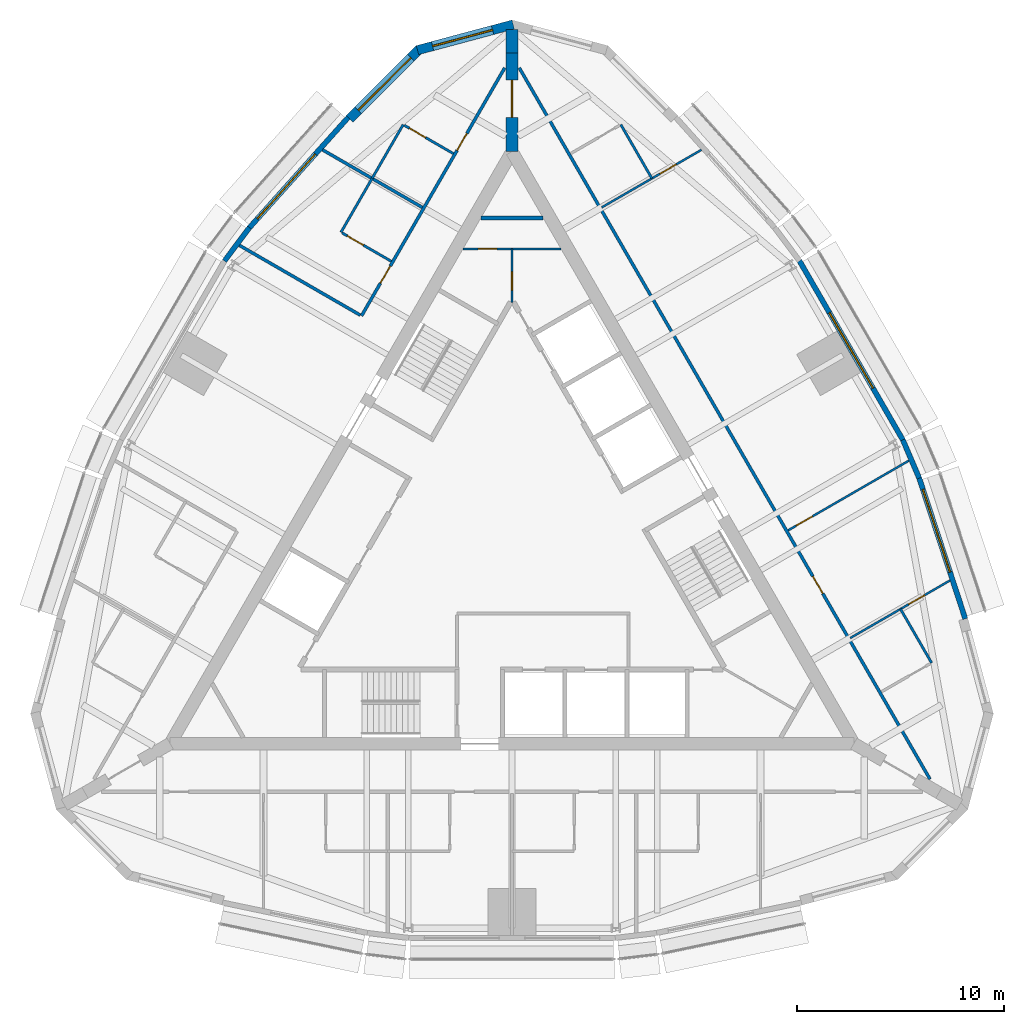
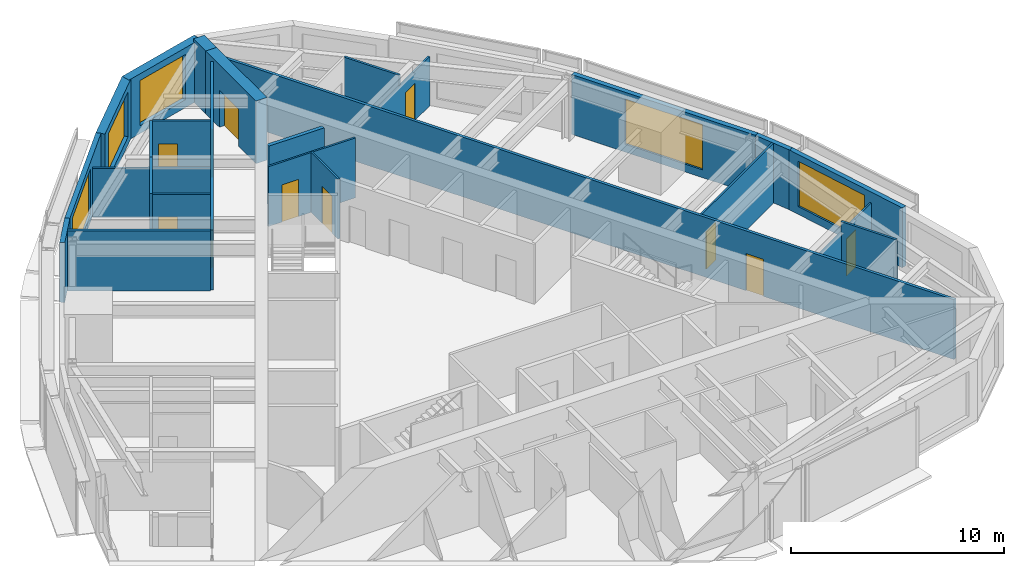
# One storey, part 10 of 12: 25 walls, 11 doors, 5 windows, 16 openings.
"""IFC4 building model written with IfcOpenShell, lengths in metres."""

from ifc_helpers import new_model, si_unit, direction, frame, frame_2d, origin, place, context, subcontext, project, spatial, polyline, rectangle, outline, extrude, material, layer, layer_set, type_object, element, fill, save


model = new_model("IFC4")

# Units and contexts
model_context = context("Model", 3, precision=1e-05, world=origin(), true_north=direction((0.0, 1.0)))
body_context = subcontext(model_context, "Body", "Model", "MODEL_VIEW")
ifc_project = project(units=[si_unit("LENGTHUNIT", "METRE"), si_unit("AREAUNIT", "SQUARE_METRE"), si_unit("VOLUMEUNIT", "CUBIC_METRE"), si_unit("PLANEANGLEUNIT", "RADIAN"), si_unit("MASSUNIT", "GRAM", prefix="KILO")], contexts=[model_context])

# Site, building, storey
site_placement = place(None, origin())
site = spatial("IfcSite", under=ifc_project, at=site_placement, CompositionType="ELEMENT")
building_placement = place(site_placement, origin())
building = spatial("IfcBuilding", under=site, at=building_placement, Name="Trikona Tower", CompositionType="ELEMENT")
storey_placement = place(building_placement, frame((0.0, 0.0, 268.10009765625)))
storey = spatial("IfcBuildingStorey", under=building, at=storey_placement, Name="L71", CompositionType="ELEMENT", Elevation=268.10009765625)

# Walls
ifc_material_1 = material(Name="Metal stud and cement board", Category="gypsum")
ifc_layer_1 = layer(ifc_material_1, 0.1201171875)
ifc_layer_set_1 = layer_set([ifc_layer_1], Name="Bathroom wall 120")
wall_type_1 = type_object("IfcWallType", Name="Bathroom wall 120", PredefinedType="PLUMBINGWALL", material=ifc_layer_set_1)
wall_1_placement = place(storey_placement, frame((20.25341796875, -5.627197265625, 0.0), z_axis=(0.0, 0.0, 1.0), x_axis=(-0.50002537861, 0.866010750942, 0.0)))
element("IfcWall", 1, at=wall_1_placement, inside=storey, type_object=wall_type_1, Name="Bathroom wall 7105.1", PredefinedType="PLUMBINGWALL", context=body_context, shape_type="SweptSolid", body=[
    extrude(rectangle(XDim=2.999755859375, YDim=0.1201171875, at=frame_2d((1.5, 0.0))), origin(), (0.0, 0.0, 1.0), 3.434814453125),
])
for number, where, z_axis, x_axis, name in (
    (2, (6.75341796875, 17.75537109375, 0.0), (0.0, 0.0, 1.0), (-0.499990139034, 0.866031096941, 0.0), "Bathroom wall 7105.2"),
    (3, (-5.25341796875, 20.353515625, 0.0), (0.0, 0.0, 1.0), (-0.499990139034, -0.866031096941, 0.0), "Bathroom wall 7106"),
):
    element("IfcWall", number, at=place(storey_placement, frame(where, z_axis=z_axis, x_axis=x_axis)), inside=storey, type_object=wall_type_1, Name=name, PredefinedType="PLUMBINGWALL", context=body_context, shape_type="SweptSolid", body=[
        extrude(rectangle(XDim=3.0, YDim=0.1201171875, at=frame_2d((1.5, 0.0))), origin(), (0.0, 0.0, 1.0), 3.434814453125),
    ])

# Wall, opening, door
wall_2_placement = place(storey_placement, frame((-2.82861328125, 18.95361328125, 0.0), z_axis=(0.0, 0.0, 1.0), x_axis=(-0.866035715982, 0.499982138324, 0.0)))
wall_2 = element("IfcWall", 4, at=wall_2_placement, inside=storey, type_object=wall_type_1, Name="Bathroom wall 7106", PredefinedType="PLUMBINGWALL", context=body_context, shape_type="SweptSolid", body=[
    extrude(rectangle(XDim=2.73974609375, YDim=0.1201171875, at=frame_2d((1.369873046875, 0.0))), origin(), (0.0, 0.0, 1.0), 3.434814453125),
])
opening_1_placement = place(wall_2_placement, frame((1.550048828125, 0.0, 0.0)))
opening_1 = element("IfcOpeningElement", 5, at=opening_1_placement, cuts=wall_2, Name="Opening D2", PredefinedType="OPENING", context=body_context, shape_type="SweptSolid", body=[
    extrude(rectangle(XDim=0.89990234375, YDim=2.1298828125, at=frame_2d((0.449951171875, 1.06494140625))), frame((0.0, 0.070068359375, 0.0), z_axis=(0.0, -1.0, 0.0), x_axis=(1.0, 0.0, 0.0)), (0.0, 0.0, 1.0), 0.14013671875),
])
ifc_material_2 = material(Name="Steel door frame with solid-core timber leaf", Category="steel")
door_type_1 = type_object("IfcDoorType", Name="Bathroom door 900x2130", OperationType="SLIDING_TO_LEFT", PredefinedType="DOOR", material=ifc_material_2)
door_1_placement = place(opening_1_placement, origin())
door_1 = element("IfcDoor", 6, at=door_1_placement, inside=storey, type_object=door_type_1, Name="Bathroom door 7106", OperationType="SLIDING_TO_LEFT", OverallHeight=2.1298828125, OverallWidth=0.89990234375, PredefinedType="DOOR", context=body_context, shape_type="SweptSolid", body=[
    extrude(rectangle(XDim=0.89990234375, YDim=2.1298828125, at=frame_2d((0.449951171875, 1.06494140625))), frame((0.0, 0.02490234375, 0.0), z_axis=(0.0, -1.0, 0.0), x_axis=(1.0, 0.0, 0.0)), (0.0, 0.0, 1.0), 0.050048828125),
])
fill(opening_1, door_1)

# Wall
wall_3_placement = place(storey_placement, frame((-6.75341796875, 17.75537109375, 0.0), z_axis=(0.0, 0.0, 1.0), x_axis=(-0.50002537861, -0.866010750942, 0.0)))
element("IfcWall", 7, at=wall_3_placement, inside=storey, type_object=wall_type_1, Name="Bathroom wall 7107", PredefinedType="PLUMBINGWALL", context=body_context, shape_type="SweptSolid", body=[
    extrude(rectangle(XDim=2.999755859375, YDim=0.1201171875, at=frame_2d((1.5, 0.0))), origin(), (0.0, 0.0, 1.0), 3.434814453125),
])

# Wall, opening, door
wall_4_placement = place(storey_placement, frame((-5.82861328125, 13.75732421875, 0.0), z_axis=(0.0, 0.0, 1.0), x_axis=(-0.865997131366, 0.500048966069, 0.0)))
wall_4 = element("IfcWall", 8, at=wall_4_placement, inside=storey, type_object=wall_type_1, Name="Bathroom wall 7107", PredefinedType="PLUMBINGWALL", context=body_context, shape_type="SweptSolid", body=[
    extrude(rectangle(XDim=2.739990234375, YDim=0.1201171875, at=frame_2d((1.3701171875, 0.0))), origin(), (0.0, 0.0, 1.0), 3.434814453125),
])
opening_2_placement = place(wall_4_placement, frame((1.550048828125, 0.0, 0.0)))
opening_2 = element("IfcOpeningElement", 9, at=opening_2_placement, cuts=wall_4, Name="Opening D2", PredefinedType="OPENING", context=body_context, shape_type="SweptSolid", body=[
    extrude(rectangle(XDim=0.89990234375, YDim=2.1298828125, at=frame_2d((0.449951171875, 1.06494140625))), frame((0.0, 0.070068359375, 0.0), z_axis=(0.0, -1.0, 0.0), x_axis=(1.0, 0.0, 0.0)), (0.0, 0.0, 1.0), 0.14013671875),
])
door_2_placement = place(opening_2_placement, origin())
door_2 = element("IfcDoor", 10, at=door_2_placement, inside=storey, type_object=door_type_1, Name="Bathroom door 7107", OperationType="SLIDING_TO_LEFT", OverallHeight=2.1298828125, OverallWidth=0.89990234375, PredefinedType="DOOR", context=body_context, shape_type="SweptSolid", body=[
    extrude(rectangle(XDim=0.89990234375, YDim=2.1298828125, at=frame_2d((0.449951171875, 1.06494140625))), frame((0.0, 0.02490234375, 0.0), z_axis=(0.0, -1.0, 0.0), x_axis=(1.0, 0.0, 0.0)), (0.0, 0.0, 1.0), 0.050048828125),
])
fill(opening_2, door_2)

# Wall, opening, window
ifc_material_3 = material(Name="Brick-faced precast concrete", Category="masonry")
ifc_layer_2 = layer(ifc_material_3, 0.449951171875)
ifc_layer_set_2 = layer_set([ifc_layer_2], Name="Brick-faced corner wall 450")
wall_type_2 = type_object("IfcWallType", Name="Brick-faced corner wall 450", PredefinedType="SOLIDWALL", material=ifc_layer_set_2)
wall_5_placement = place(storey_placement, frame((0.05810546875, 25.18603515625, 0.0), z_axis=(0.0, 0.0, 1.0), x_axis=(-0.965926628191, -0.258816052347, 0.0)))
wall_5 = element("IfcWall", 11, at=wall_5_placement, inside=storey, type_object=wall_type_2, Name="External wall L71-16", PredefinedType="SOLIDWALL", context=body_context, shape_type="SweptSolid", body=[
    extrude(outline(polyline([(4.781494140625, 0.22509765625), (0.430908203125, 0.22509765625), (0.406005859375, 0.132080078125), (0.059326171875, 0.22509765625), (0.0, 0.22509765625), (0.0, -0.22509765625), (4.781494140625, -0.22509765625), (4.781494140625, 0.22509765625)])), origin(), (0.0, 0.0, 1.0), 3.434814453125),
])
opening_3_placement = place(wall_5_placement, frame((1.031494140625, 0.0, 0.449951171875)))
opening_3 = element("IfcOpeningElement", 12, at=opening_3_placement, cuts=wall_5, Name="Opening W3026", PredefinedType="OPENING", context=body_context, shape_type="SweptSolid", body=[
    extrude(rectangle(XDim=3.0, YDim=2.60009765625, at=frame_2d((1.5, 1.300048828125))), frame((0.0, 0.23486328125, 0.0), z_axis=(0.0, -1.0, 0.0), x_axis=(1.0, 0.0, 0.0)), (0.0, 0.0, 1.0), 0.469970703125),
])
ifc_material_4 = material(Name="Aluminium-framed double glazing", Category="aluminium")
window_type_1 = type_object("IfcWindowType", Name="Window 3000x2600", PartitioningType="SINGLE_PANEL", PredefinedType="WINDOW", material=ifc_material_4)
window_1_placement = place(opening_3_placement, origin())
window_1 = element("IfcWindow", 13, at=window_1_placement, inside=storey, type_object=window_type_1, Name="Window 7106", OverallHeight=2.60009765625, OverallWidth=3.0, PartitioningType="SINGLE_PANEL", PredefinedType="WINDOW", context=body_context, shape_type="SweptSolid", body=[
    extrude(rectangle(XDim=3.0, YDim=2.60009765625, at=frame_2d((1.5, 1.300048828125))), frame((0.0, 0.030029296875, 0.0), z_axis=(0.0, -1.0, 0.0), x_axis=(1.0, 0.0, 0.0)), (0.0, 0.0, 1.0), 0.06005859375),
])
fill(opening_3, window_1)

wall_6_placement = place(storey_placement, frame((-4.459716796875, 24.006591796875, 0.0), z_axis=(0.0, 0.0, 1.0), x_axis=(-0.707106781187, -0.707106781187, 0.0)))
wall_6 = element("IfcWall", 14, at=wall_6_placement, inside=storey, type_object=wall_type_2, Name="External wall L71-17", PredefinedType="SOLIDWALL", context=body_context, shape_type="SweptSolid", body=[
    extrude(rectangle(XDim=4.781494140625, YDim=0.449951171875, at=frame_2d((2.390625, 0.0))), origin(), (0.0, 0.0, 1.0), 3.434814453125),
])
opening_4_placement = place(wall_6_placement, frame((0.5908203125, 0.0, 0.449951171875)))
opening_4 = element("IfcOpeningElement", 15, at=opening_4_placement, cuts=wall_6, Name="Opening W3626", PredefinedType="OPENING", context=body_context, shape_type="SweptSolid", body=[
    extrude(rectangle(XDim=3.60009765625, YDim=2.60009765625, at=frame_2d((1.800048828125, 1.300048828125))), frame((0.0, 0.23486328125, 0.0), z_axis=(0.0, -1.0, 0.0), x_axis=(1.0, 0.0, 0.0)), (0.0, 0.0, 1.0), 0.469970703125),
])
ifc_material_5 = material(Name="Aluminium-framed double glazing", Category="aluminium")
window_type_2 = type_object("IfcWindowType", Name="Window 3600x2600", PartitioningType="SINGLE_PANEL", PredefinedType="WINDOW", material=ifc_material_5)
window_2_placement = place(opening_4_placement, origin())
window_2 = element("IfcWindow", 16, at=window_2_placement, inside=storey, type_object=window_type_2, Name="Window 7106", OverallHeight=2.60009765625, OverallWidth=3.60009765625, PartitioningType="SINGLE_PANEL", PredefinedType="WINDOW", context=body_context, shape_type="SweptSolid", body=[
    extrude(rectangle(XDim=3.60009765625, YDim=2.60009765625, at=frame_2d((1.800048828125, 1.300048828125))), frame((0.0, 0.030029296875, 0.0), z_axis=(0.0, -1.0, 0.0), x_axis=(1.0, 0.0, 0.0)), (0.0, 0.0, 1.0), 0.06005859375),
])
fill(opening_4, window_2)

# Wall, opening, door
ifc_material_6 = material(Name="Concrete f'c 10000 psi", Category="concrete")
ifc_layer_3 = layer(ifc_material_6, 0.60009765625)
ifc_layer_set_3 = layer_set([ifc_layer_3], Name="Buttress wall 600")
wall_type_3 = type_object("IfcWallType", Name="Buttress wall 600", PredefinedType="SHEAR", material=ifc_layer_set_3)
wall_7_placement = place(storey_placement, frame((0.0, 19.052490234375, 0.0), z_axis=(0.0, 0.0, 1.0), x_axis=(0.0, 1.0, 0.0)))
wall_7 = element("IfcWall", 17, at=wall_7_placement, inside=storey, type_object=wall_type_3, Name="Buttress wall 2", PredefinedType="SHEAR", context=body_context, shape_type="SweptSolid", body=[
    extrude(rectangle(XDim=4.74609375, YDim=0.60009765625, at=frame_2d((2.373046875, 0.0))), origin(), (0.0, 0.0, 1.0), 3.599853515625),
])
opening_5_placement = place(wall_7_placement, frame((1.64990234375, 0.0, 0.0)))
opening_5 = element("IfcOpeningElement", 18, at=opening_5_placement, cuts=wall_7, Name="Opening D10", PredefinedType="OPENING", context=body_context, shape_type="SweptSolid", body=[
    extrude(rectangle(XDim=1.800048828125, YDim=2.1298828125, at=frame_2d((0.89990234375, 1.06494140625))), frame((0.0, 0.31005859375, 0.0), z_axis=(0.0, -1.0, 0.0), x_axis=(1.0, 0.0, 0.0)), (0.0, 0.0, 1.0), 0.6201171875),
])
ifc_material_7 = material(Name="Hollow metal door and frame", Category="steel")
door_type_2 = type_object("IfcDoorType", Name="Cross-corridor door pair 1800x2130", OperationType="DOUBLE_DOOR_DOUBLE_SWING", PredefinedType="DOOR", material=ifc_material_7)
door_3_placement = place(opening_5_placement, origin())
door_3 = element("IfcDoor", 19, at=door_3_placement, inside=storey, type_object=door_type_2, Name="Cross-corridor door 2", OperationType="DOUBLE_DOOR_DOUBLE_SWING", OverallHeight=2.1298828125, OverallWidth=1.800048828125, PredefinedType="DOOR", context=body_context, shape_type="SweptSolid", body=[
    extrude(rectangle(XDim=1.800048828125, YDim=2.1298828125, at=frame_2d((0.89990234375, 1.06494140625))), frame((0.0, 0.02490234375, 0.0), z_axis=(0.0, -1.0, 0.0), x_axis=(1.0, 0.0, 0.0)), (0.0, 0.0, 1.0), 0.050048828125),
])
fill(opening_5, door_3)

# Wall
wall_8_placement = place(storey_placement, frame((0.0, 23.798583984375, 0.0), z_axis=(0.0, 0.0, 1.0), x_axis=(0.0, 1.0, 0.0)))
element("IfcWall", 20, at=wall_8_placement, inside=storey, type_object=wall_type_3, Name="Buttress wall 2 part 2", PredefinedType="SHEAR", context=body_context, shape_type="SweptSolid", body=[
    extrude(rectangle(XDim=1.15478515625, YDim=0.60009765625, at=frame_2d((0.577392578125, 0.0))), origin(), (0.0, 0.0, 1.0), 3.599853515625),
])

# Wall, opening, door
ifc_material_8 = material(Name="Metal stud and gypsum board, 1-hour", Category="gypsum")
ifc_layer_4 = layer(ifc_material_8, 0.14990234375)
ifc_layer_set_4 = layer_set([ifc_layer_4], Name="Corridor wall 150")
wall_type_4 = type_object("IfcWallType", Name="Corridor wall 150", PredefinedType="PARTITIONING", material=ifc_layer_set_4)
wall_9_placement = place(storey_placement, frame((20.177001953125, -11.2451171875, 0.0), z_axis=(0.0, 0.0, 1.0), x_axis=(-0.499998875317, 0.866026053119, 0.0)))
wall_9 = element("IfcWall", 21, at=wall_9_placement, inside=storey, type_object=wall_type_4, Name="Corridor wall L71-2", PredefinedType="PARTITIONING", context=body_context, shape_type="SweptSolid", body=[
    extrude(rectangle(XDim=39.65380859375, YDim=0.14990234375, at=frame_2d((19.826904296875, 0.0))), origin(), (0.0, 0.0, 1.0), 3.434814453125),
])
opening_6_placement = place(wall_9_placement, frame((10.35205078125, 0.0, 0.0)))
opening_6 = element("IfcOpeningElement", 22, at=opening_6_placement, cuts=wall_9, Name="Opening D1", PredefinedType="OPENING", context=body_context, shape_type="SweptSolid", body=[
    extrude(rectangle(XDim=0.949951171875, YDim=2.1298828125, at=frame_2d((0.47509765625, 1.06494140625))), frame((0.0, 0.0849609375, 0.0), z_axis=(0.0, -1.0, 0.0), x_axis=(1.0, 0.0, 0.0)), (0.0, 0.0, 1.0), 0.169921875),
])
ifc_material_9 = material(Name="Steel door frame with solid-core timber leaf", Category="steel")
door_type_3 = type_object("IfcDoorType", Name="Guest room door 950x2130", OperationType="SINGLE_SWING_LEFT", PredefinedType="DOOR", material=ifc_material_9)
door_4_placement = place(opening_6_placement, origin())
door_4 = element("IfcDoor", 23, at=door_4_placement, inside=storey, type_object=door_type_3, Name="Room door 7105", OperationType="SINGLE_SWING_LEFT", OverallHeight=2.1298828125, OverallWidth=0.949951171875, PredefinedType="DOOR", context=body_context, shape_type="SweptSolid", body=[
    extrude(rectangle(XDim=0.949951171875, YDim=2.1298828125, at=frame_2d((0.47509765625, 1.06494140625))), frame((0.0, 0.02490234375, 0.0), z_axis=(0.0, -1.0, 0.0), x_axis=(1.0, 0.0, 0.0)), (0.0, 0.0, 1.0), 0.050048828125),
])
fill(opening_6, door_4)

# Wall, openings, doors
wall_10_placement = place(storey_placement, frame((-0.35009765625, 23.09619140625, 0.0), z_axis=(0.0, 0.0, 1.0), x_axis=(-0.499996044987, -0.8660276872, 0.0)))
wall_10 = element("IfcWall", 24, at=wall_10_placement, inside=storey, type_object=wall_type_4, Name="Corridor wall L71-3A", PredefinedType="PARTITIONING", context=body_context, shape_type="SweptSolid", body=[
    extrude(rectangle(XDim=13.82666015625, YDim=0.14990234375, at=frame_2d((6.913330078125, 0.0))), origin(), (0.0, 0.0, 1.0), 3.434814453125),
])
opening_7_placement = place(wall_10_placement, frame((3.652099609375, 0.0, 0.0)))
opening_7 = element("IfcOpeningElement", 25, at=opening_7_placement, cuts=wall_10, Name="Opening D1", PredefinedType="OPENING", context=body_context, shape_type="SweptSolid", body=[
    extrude(rectangle(XDim=0.949951171875, YDim=2.1298828125, at=frame_2d((0.47509765625, 1.06494140625))), frame((0.0, 0.0849609375, 0.0), z_axis=(0.0, -1.0, 0.0), x_axis=(1.0, 0.0, 0.0)), (0.0, 0.0, 1.0), 0.169921875),
])
opening_8_placement = place(wall_10_placement, frame((11.052001953125, 0.0, 0.0)))
opening_8 = element("IfcOpeningElement", 26, at=opening_8_placement, cuts=wall_10, Name="Opening D1", PredefinedType="OPENING", context=body_context, shape_type="SweptSolid", body=[
    extrude(rectangle(XDim=0.949951171875, YDim=2.1298828125, at=frame_2d((0.47509765625, 1.06494140625))), frame((0.0, 0.0849609375, 0.0), z_axis=(0.0, -1.0, 0.0), x_axis=(1.0, 0.0, 0.0)), (0.0, 0.0, 1.0), 0.169921875),
])
door_5_placement = place(opening_7_placement, origin())
door_5 = element("IfcDoor", 27, at=door_5_placement, inside=storey, type_object=door_type_3, Name="Room door 7106", OperationType="SINGLE_SWING_LEFT", OverallHeight=2.1298828125, OverallWidth=0.949951171875, PredefinedType="DOOR", context=body_context, shape_type="SweptSolid", body=[
    extrude(rectangle(XDim=0.949951171875, YDim=2.1298828125, at=frame_2d((0.47509765625, 1.06494140625))), frame((0.0, 0.02490234375, 0.0), z_axis=(0.0, -1.0, 0.0), x_axis=(1.0, 0.0, 0.0)), (0.0, 0.0, 1.0), 0.050048828125),
])
fill(opening_7, door_5)
door_6_placement = place(opening_8_placement, origin())
door_6 = element("IfcDoor", 28, at=door_6_placement, inside=storey, type_object=door_type_3, Name="Room door 7107", OperationType="SINGLE_SWING_RIGHT", OverallHeight=2.1298828125, OverallWidth=0.949951171875, PredefinedType="DOOR", context=body_context, shape_type="SweptSolid", body=[
    extrude(rectangle(XDim=0.949951171875, YDim=2.1298828125, at=frame_2d((0.47509765625, 1.06494140625))), frame((0.0, 0.02490234375, 0.0), z_axis=(0.0, -1.0, 0.0), x_axis=(1.0, 0.0, 0.0)), (0.0, 0.0, 1.0), 0.050048828125),
])
fill(opening_8, door_6)

# Wall, opening, window
ifc_material_10 = material(Name="Insulated precast concrete spandrel panel", Category="concrete")
ifc_layer_5 = layer(ifc_material_10, 0.25)
ifc_layer_set_5 = layer_set([ifc_layer_5], Name="Inner skin wall 250")
wall_type_5 = type_object("IfcWallType", Name="Inner skin wall 250", PredefinedType="STANDARD", material=ifc_layer_set_5)
wall_11_placement = place(storey_placement, frame((21.881103515625, -3.5029296875, 0.0), z_axis=(0.0, 0.0, 1.0), x_axis=(-0.311328857048, 0.95030223759, 0.0)))
wall_11 = element("IfcWall", 29, at=wall_11_placement, inside=storey, type_object=wall_type_5, Name="External wall L71-09", PredefinedType="STANDARD", context=body_context, shape_type="SweptSolid", body=[
    extrude(rectangle(XDim=7.152587890625, YDim=0.25, at=frame_2d((3.576171875, 0.0))), origin(), (0.0, 0.0, 1.0), 3.434814453125),
])
opening_9_placement = place(wall_11_placement, frame((2.3759765625, 0.0, 0.449951171875)))
opening_9 = element("IfcOpeningElement", 30, at=opening_9_placement, cuts=wall_11, Name="Opening W4226", PredefinedType="OPENING", context=body_context, shape_type="SweptSolid", body=[
    extrude(rectangle(XDim=4.199951171875, YDim=2.60009765625, at=frame_2d((2.10009765625, 1.300048828125))), frame((0.0, 0.135009765625, 0.0), z_axis=(0.0, -1.0, 0.0), x_axis=(1.0, 0.0, 0.0)), (0.0, 0.0, 1.0), 0.27001953125),
])
ifc_material_11 = material(Name="Aluminium-framed double glazing", Category="aluminium")
window_type_3 = type_object("IfcWindowType", Name="Window 4200x2600", PartitioningType="SINGLE_PANEL", PredefinedType="WINDOW", material=ifc_material_11)
window_3_placement = place(opening_9_placement, origin())
window_3 = element("IfcWindow", 31, at=window_3_placement, inside=storey, type_object=window_type_3, Name="Window 7105", OverallHeight=2.60009765625, OverallWidth=4.199951171875, PartitioningType="SINGLE_PANEL", PredefinedType="WINDOW", context=body_context, shape_type="SweptSolid", body=[
    extrude(rectangle(XDim=4.199951171875, YDim=2.60009765625, at=frame_2d((2.10009765625, 1.300048828125))), frame((0.0, 0.030029296875, 0.0), z_axis=(0.0, -1.0, 0.0), x_axis=(1.0, 0.0, 0.0)), (0.0, 0.0, 1.0), 0.06005859375),
])
fill(opening_9, window_3)

# Wall
wall_12_placement = place(storey_placement, frame((19.658203125, 3.283935546875, 0.0), z_axis=(0.0, 0.0, 1.0), x_axis=(-0.393290226175, 0.91941437774, 0.0)))
element("IfcWall", 32, at=wall_12_placement, inside=storey, type_object=wall_type_5, Name="External wall L71-10", PredefinedType="STANDARD", context=body_context, shape_type="SweptSolid", body=[
    extrude(rectangle(XDim=2.014404296875, YDim=0.25, at=frame_2d((1.00732421875, 0.0))), origin(), (0.0, 0.0, 1.0), 3.434814453125),
])

# Wall, opening, window
wall_13_placement = place(storey_placement, frame((18.87255859375, 5.12255859375, 0.0), z_axis=(0.0, 0.0, 1.0), x_axis=(-0.499993662806, 0.866029062534, 0.0)))
wall_13 = element("IfcWall", 33, at=wall_13_placement, inside=storey, type_object=wall_type_5, Name="External wall L71-11", PredefinedType="STANDARD", context=body_context, shape_type="SweptSolid", body=[
    extrude(rectangle(XDim=10.000244140625, YDim=0.25, at=frame_2d((5.0, 0.0))), origin(), (0.0, 0.0, 1.0), 3.434814453125),
])
opening_10_placement = place(wall_13_placement, frame((2.89990234375, 0.0, 0.449951171875)))
opening_10 = element("IfcOpeningElement", 34, at=opening_10_placement, cuts=wall_13, Name="Opening W4226", PredefinedType="OPENING", context=body_context, shape_type="SweptSolid", body=[
    extrude(rectangle(XDim=4.199951171875, YDim=2.60009765625, at=frame_2d((2.10009765625, 1.300048828125))), frame((0.0, 0.135009765625, 0.0), z_axis=(0.0, -1.0, 0.0), x_axis=(1.0, 0.0, 0.0)), (0.0, 0.0, 1.0), 0.27001953125),
])
window_4_placement = place(opening_10_placement, origin())
window_4 = element("IfcWindow", 35, at=window_4_placement, inside=storey, type_object=window_type_3, Name="Window 7105.3", OverallHeight=2.60009765625, OverallWidth=4.199951171875, PartitioningType="SINGLE_PANEL", PredefinedType="WINDOW", context=body_context, shape_type="SweptSolid", body=[
    extrude(rectangle(XDim=4.199951171875, YDim=2.60009765625, at=frame_2d((2.10009765625, 1.300048828125))), frame((0.0, 0.030029296875, 0.0), z_axis=(0.0, -1.0, 0.0), x_axis=(1.0, 0.0, 0.0)), (0.0, 0.0, 1.0), 0.06005859375),
])
fill(opening_10, window_4)

wall_14_placement = place(storey_placement, frame((-7.906982421875, 20.701171875, 0.0), z_axis=(0.0, 0.0, 1.0), x_axis=(-0.667303550892, -0.744785855778, 0.0)))
wall_14 = element("IfcWall", 36, at=wall_14_placement, inside=storey, type_object=wall_type_5, Name="External wall L71-18", PredefinedType="STANDARD", context=body_context, shape_type="SweptSolid", body=[
    extrude(rectangle(XDim=7.152587890625, YDim=0.25, at=frame_2d((3.576171875, 0.0))), origin(), (0.0, 0.0, 1.0), 3.434814453125),
])
opening_11_placement = place(wall_14_placement, frame((2.3759765625, 0.0, 0.449951171875)))
opening_11 = element("IfcOpeningElement", 37, at=opening_11_placement, cuts=wall_14, Name="Opening W4226", PredefinedType="OPENING", context=body_context, shape_type="SweptSolid", body=[
    extrude(rectangle(XDim=4.199951171875, YDim=2.60009765625, at=frame_2d((2.10009765625, 1.300048828125))), frame((0.0, 0.135009765625, 0.0), z_axis=(0.0, -1.0, 0.0), x_axis=(1.0, 0.0, 0.0)), (0.0, 0.0, 1.0), 0.27001953125),
])
window_5_placement = place(opening_11_placement, origin())
window_5 = element("IfcWindow", 38, at=window_5_placement, inside=storey, type_object=window_type_3, Name="Window 7107", OverallHeight=2.60009765625, OverallWidth=4.199951171875, PartitioningType="SINGLE_PANEL", PredefinedType="WINDOW", context=body_context, shape_type="SweptSolid", body=[
    extrude(rectangle(XDim=4.199951171875, YDim=2.60009765625, at=frame_2d((2.10009765625, 1.300048828125))), frame((0.0, 0.030029296875, 0.0), z_axis=(0.0, -1.0, 0.0), x_axis=(1.0, 0.0, 0.0)), (0.0, 0.0, 1.0), 0.06005859375),
])
fill(opening_11, window_5)

# Walls
wall_15_placement = place(storey_placement, frame((-12.673095703125, 15.38232421875, 0.0), z_axis=(0.0, 0.0, 1.0), x_axis=(-0.599650843534, -0.800261748335, 0.0)))
element("IfcWall", 39, at=wall_15_placement, inside=storey, type_object=wall_type_5, Name="External wall L71-19", PredefinedType="STANDARD", context=body_context, shape_type="SweptSolid", body=[
    extrude(rectangle(XDim=2.01416015625, YDim=0.25, at=frame_2d((1.007080078125, 0.0))), origin(), (0.0, 0.0, 1.0), 3.434814453125),
])
ifc_material_12 = material(Name="Metal stud and gypsum board, 1-hour acoustic", Category="gypsum")
ifc_layer_6 = layer(ifc_material_12, 0.14990234375)
ifc_layer_set_6 = layer_set([ifc_layer_6], Name="Party wall 150")
wall_type_6 = type_object("IfcWallType", Name="Party wall 150", PredefinedType="PARTITIONING", material=ifc_layer_set_6)
wall_16_placement = place(storey_placement, frame((-4.32861328125, 16.35546875, 0.0), z_axis=(0.0, 0.0, 1.0), x_axis=(-0.866029066823, 0.499993655377, 0.0)))
element("IfcWall", 40, at=wall_16_placement, inside=storey, type_object=wall_type_6, Name="Partition L71 F3 u-12", PredefinedType="PARTITIONING", context=body_context, shape_type="SweptSolid", body=[
    extrude(rectangle(XDim=5.55859375, YDim=0.14990234375, at=frame_2d((2.779296875, 0.0))), origin(), (0.0, 0.0, 1.0), 2.82275390625),
])
wall_17_placement = place(storey_placement, frame((-7.32861328125, 11.1591796875, 0.0), z_axis=(0.0, 0.0, 1.0), x_axis=(-0.866020720842, 0.500008111007, 0.0)))
element("IfcWall", 41, at=wall_17_placement, inside=storey, type_object=wall_type_6, Name="Partition L71 F3 u-6", PredefinedType="PARTITIONING", context=body_context, shape_type="SweptSolid", body=[
    extrude(rectangle(XDim=6.732421875, YDim=0.14990234375, at=frame_2d((3.3662109375, 0.0))), origin(), (0.0, 0.0, 1.0), 3.434814453125),
])
ifc_material_13 = material(Name="Concrete f'c 8000 psi", Category="concrete")
ifc_layer_7 = layer(ifc_material_13, 0.199951171875)
ifc_layer_set_7 = layer_set([ifc_layer_7], Name="Shaft wall 200")
wall_type_7 = type_object("IfcWallType", Name="Shaft wall 200", PredefinedType="SOLIDWALL", material=ifc_layer_set_7)
wall_18_placement = place(storey_placement, frame((-1.501220703125, 15.8525390625, 0.0), z_axis=(0.0, 0.0, 1.0), x_axis=(1.0, 0.0, 0.0)))
element("IfcWall", 42, at=wall_18_placement, inside=storey, type_object=wall_type_7, Name="Riser wall L71-RS2", PredefinedType="SOLIDWALL", context=body_context, shape_type="SweptSolid", body=[
    extrude(rectangle(XDim=3.00244140625, YDim=0.199951171875, at=frame_2d((1.501220703125, 0.0))), origin(), (0.0, 0.0, 1.0), 3.434814453125),
])

# Wall, opening, door
ifc_material_14 = material(Name="Metal stud and gypsum board, acoustic", Category="gypsum")
ifc_layer_8 = layer(ifc_material_14, 0.10009765625)
ifc_layer_set_8 = layer_set([ifc_layer_8], Name="Suite partition 100")
wall_type_8 = type_object("IfcWallType", Name="Suite partition 100", PredefinedType="PARTITIONING", material=ifc_layer_set_8)
wall_19_placement = place(storey_placement, frame((16.32861328125, -4.42919921875, 0.0), z_axis=(0.0, 0.0, 1.0), x_axis=(0.866029066823, 0.499993655377, 0.0)))
wall_19 = element("IfcWall", 43, at=wall_19_placement, inside=storey, type_object=wall_type_8, Name="Suite partition L71 F2 u-12", PredefinedType="PARTITIONING", context=body_context, shape_type="SweptSolid", body=[
    extrude(rectangle(XDim=5.55859375, YDim=0.10009765625, at=frame_2d((2.779296875, 0.0))), origin(), (0.0, 0.0, 1.0), 2.82275390625),
])
opening_12_placement = place(wall_19_placement, frame((3.25, 0.0, 0.0)))
opening_12 = element("IfcOpeningElement", 44, at=opening_12_placement, cuts=wall_19, Name="Opening D13", PredefinedType="OPENING", context=body_context, shape_type="SweptSolid", body=[
    extrude(rectangle(XDim=0.89990234375, YDim=2.1298828125, at=frame_2d((0.449951171875, 1.06494140625))), frame((0.0, 0.06005859375, 0.0), z_axis=(0.0, -1.0, 0.0), x_axis=(1.0, 0.0, 0.0)), (0.0, 0.0, 1.0), 0.1201171875),
])
ifc_material_15 = material(Name="Steel door frame with solid-core timber leaf", Category="steel")
door_type_4 = type_object("IfcDoorType", Name="Suite door 900x2130", OperationType="SINGLE_SWING_LEFT", PredefinedType="DOOR", material=ifc_material_15)
door_7_placement = place(opening_12_placement, origin())
door_7 = element("IfcDoor", 45, at=door_7_placement, inside=storey, type_object=door_type_4, Name="Suite door 7105", OperationType="SINGLE_SWING_RIGHT", OverallHeight=2.1298828125, OverallWidth=0.89990234375, PredefinedType="DOOR", context=body_context, shape_type="SweptSolid", body=[
    extrude(rectangle(XDim=0.89990234375, YDim=2.1298828125, at=frame_2d((0.449951171875, 1.06494140625))), frame((0.0, 0.02490234375, 0.0), z_axis=(0.0, -1.0, 0.0), x_axis=(1.0, 0.0, 0.0)), (0.0, 0.0, 1.0), 0.050048828125),
])
fill(opening_12, door_7)

wall_20_placement = place(storey_placement, frame((13.32861328125, 0.76708984375, 0.0), z_axis=(0.0, 0.0, 1.0), x_axis=(0.866020720842, 0.500008111007, 0.0)))
wall_20 = element("IfcWall", 46, at=wall_20_placement, inside=storey, type_object=wall_type_8, Name="Suite partition L71 F2 u-6", PredefinedType="PARTITIONING", context=body_context, shape_type="SweptSolid", body=[
    extrude(rectangle(XDim=6.732421875, YDim=0.10009765625, at=frame_2d((3.3662109375, 0.0))), origin(), (0.0, 0.0, 1.0), 3.434814453125),
])
opening_13_placement = place(wall_20_placement, frame((0.449951171875, 0.0, 0.0)))
opening_13 = element("IfcOpeningElement", 47, at=opening_13_placement, cuts=wall_20, Name="Opening D13", PredefinedType="OPENING", context=body_context, shape_type="SweptSolid", body=[
    extrude(rectangle(XDim=0.89990234375, YDim=2.1298828125, at=frame_2d((0.449951171875, 1.06494140625))), frame((0.0, 0.06005859375, 0.0), z_axis=(0.0, -1.0, 0.0), x_axis=(1.0, 0.0, 0.0)), (0.0, 0.0, 1.0), 0.1201171875),
])
door_8_placement = place(opening_13_placement, origin())
door_8 = element("IfcDoor", 48, at=door_8_placement, inside=storey, type_object=door_type_4, Name="Suite door 7105", OperationType="SINGLE_SWING_LEFT", OverallHeight=2.1298828125, OverallWidth=0.89990234375, PredefinedType="DOOR", context=body_context, shape_type="SweptSolid", body=[
    extrude(rectangle(XDim=0.89990234375, YDim=2.1298828125, at=frame_2d((0.449951171875, 1.06494140625))), frame((0.0, 0.02490234375, 0.0), z_axis=(0.0, -1.0, 0.0), x_axis=(1.0, 0.0, 0.0)), (0.0, 0.0, 1.0), 0.050048828125),
])
fill(opening_13, door_8)

wall_21_placement = place(storey_placement, frame((4.32861328125, 16.35546875, 0.0), z_axis=(0.0, 0.0, 1.0), x_axis=(0.866029066823, 0.499993655377, 0.0)))
wall_21 = element("IfcWall", 49, at=wall_21_placement, inside=storey, type_object=wall_type_8, Name="Suite partition L71 F2 u12", PredefinedType="PARTITIONING", context=body_context, shape_type="SweptSolid", body=[
    extrude(rectangle(XDim=5.55859375, YDim=0.10009765625, at=frame_2d((2.779296875, 0.0))), origin(), (0.0, 0.0, 1.0), 2.82275390625),
])
opening_14_placement = place(wall_21_placement, frame((3.25, 0.0, 0.0)))
opening_14 = element("IfcOpeningElement", 50, at=opening_14_placement, cuts=wall_21, Name="Opening D13", PredefinedType="OPENING", context=body_context, shape_type="SweptSolid", body=[
    extrude(rectangle(XDim=0.89990234375, YDim=2.1298828125, at=frame_2d((0.449951171875, 1.06494140625))), frame((0.0, 0.06005859375, 0.0), z_axis=(0.0, -1.0, 0.0), x_axis=(1.0, 0.0, 0.0)), (0.0, 0.0, 1.0), 0.1201171875),
])
door_9_placement = place(opening_14_placement, origin())
door_9 = element("IfcDoor", 51, at=door_9_placement, inside=storey, type_object=door_type_4, Name="Suite door 7105", OperationType="SINGLE_SWING_LEFT", OverallHeight=2.1298828125, OverallWidth=0.89990234375, PredefinedType="DOOR", context=body_context, shape_type="SweptSolid", body=[
    extrude(rectangle(XDim=0.89990234375, YDim=2.1298828125, at=frame_2d((0.449951171875, 1.06494140625))), frame((0.0, 0.02490234375, 0.0), z_axis=(0.0, -1.0, 0.0), x_axis=(1.0, 0.0, 0.0)), (0.0, 0.0, 1.0), 0.050048828125),
])
fill(opening_14, door_9)

wall_22_placement = place(storey_placement, frame((-2.3671875, 14.3525390625, 0.0), z_axis=(0.0, 0.0, 1.0), x_axis=(1.0, 0.0, 0.0)))
wall_22 = element("IfcWall", 52, at=wall_22_placement, inside=storey, type_object=wall_type_8, Name="Store partition L71-RS2", PredefinedType="PARTITIONING", context=body_context, shape_type="SweptSolid", body=[
    extrude(rectangle(XDim=4.734375, YDim=0.10009765625, at=frame_2d((2.3671875, 0.0))), origin(), (0.0, 0.0, 1.0), 3.434814453125),
])
opening_15_placement = place(wall_22_placement, frame((0.733642578125, 0.0, 0.0)))
opening_15 = element("IfcOpeningElement", 53, at=opening_15_placement, cuts=wall_22, Name="Opening D15", PredefinedType="OPENING", context=body_context, shape_type="SweptSolid", body=[
    extrude(rectangle(XDim=0.89990234375, YDim=2.1298828125, at=frame_2d((0.449951171875, 1.06494140625))), frame((0.0, 0.06005859375, 0.0), z_axis=(0.0, -1.0, 0.0), x_axis=(1.0, 0.0, 0.0)), (0.0, 0.0, 1.0), 0.1201171875),
])
ifc_material_16 = material(Name="Steel door frame with solid-core timber leaf", Category="steel")
door_type_5 = type_object("IfcDoorType", Name="Store door 900x2130", OperationType="SINGLE_SWING_LEFT", PredefinedType="DOOR", material=ifc_material_16)
door_10_placement = place(opening_15_placement, origin())
door_10 = element("IfcDoor", 54, at=door_10_placement, inside=storey, type_object=door_type_5, Name="Door Storage STO", OperationType="SINGLE_SWING_LEFT", OverallHeight=2.1298828125, OverallWidth=0.89990234375, PredefinedType="DOOR", context=body_context, shape_type="SweptSolid", body=[
    extrude(rectangle(XDim=0.89990234375, YDim=2.1298828125, at=frame_2d((0.449951171875, 1.06494140625))), frame((0.0, 0.02490234375, 0.0), z_axis=(0.0, -1.0, 0.0), x_axis=(1.0, 0.0, 0.0)), (0.0, 0.0, 1.0), 0.050048828125),
])
fill(opening_15, door_10)

wall_23_placement = place(storey_placement, frame((0.0, 14.3525390625, 0.0), z_axis=(0.0, 0.0, 1.0), x_axis=(0.0, -1.0, 0.0)))
wall_23 = element("IfcWall", 55, at=wall_23_placement, inside=storey, type_object=wall_type_8, Name="Store partition L71-RS2", PredefinedType="PARTITIONING", context=body_context, shape_type="SweptSolid", body=[
    extrude(rectangle(XDim=2.5751953125, YDim=0.10009765625, at=frame_2d((1.28759765625, 0.0))), origin(), (0.0, 0.0, 1.0), 3.434814453125),
])
opening_16_placement = place(wall_23_placement, frame((1.09521484375, 0.0, 0.0)))
opening_16 = element("IfcOpeningElement", 56, at=opening_16_placement, cuts=wall_23, Name="Opening D15", PredefinedType="OPENING", context=body_context, shape_type="SweptSolid", body=[
    extrude(rectangle(XDim=0.89990234375, YDim=2.1298828125, at=frame_2d((0.449951171875, 1.06494140625))), frame((0.0, 0.06005859375, 0.0), z_axis=(0.0, -1.0, 0.0), x_axis=(1.0, 0.0, 0.0)), (0.0, 0.0, 1.0), 0.1201171875),
])
door_11_placement = place(opening_16_placement, origin())
door_11 = element("IfcDoor", 57, at=door_11_placement, inside=storey, type_object=door_type_5, Name="Door Minibar store MBS", OperationType="SINGLE_SWING_RIGHT", OverallHeight=2.1298828125, OverallWidth=0.89990234375, PredefinedType="DOOR", context=body_context, shape_type="SweptSolid", body=[
    extrude(rectangle(XDim=0.89990234375, YDim=2.1298828125, at=frame_2d((0.449951171875, 1.06494140625))), frame((0.0, 0.02490234375, 0.0), z_axis=(0.0, -1.0, 0.0), x_axis=(1.0, 0.0, 0.0)), (0.0, 0.0, 1.0), 0.050048828125),
])
fill(opening_16, door_11)

save(model, "model.ifc")
